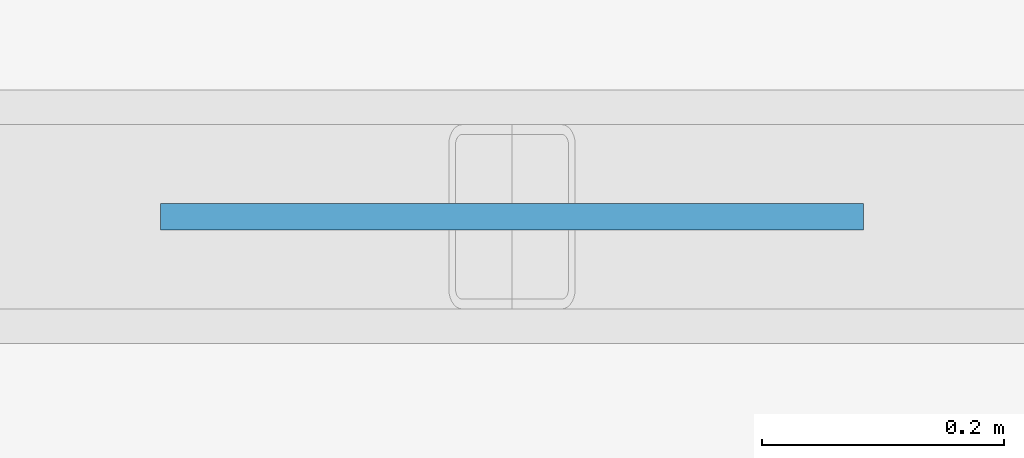
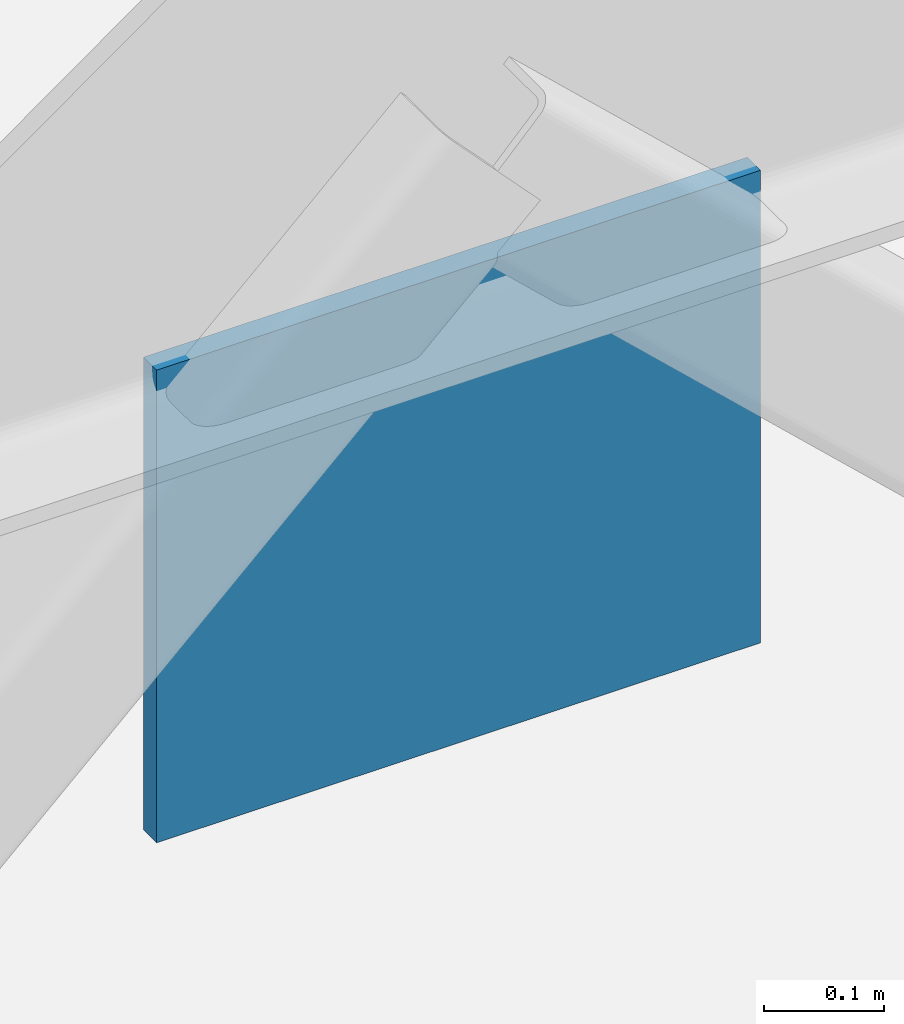
# One storey, part 59 of 93: 1 plate.
"""IFC4 building model written with IfcOpenShell, lengths in metres."""

from ifc_helpers import new_model, si_unit, direction, frame, origin, origin_2d, place, context, subcontext, project, spatial, rectangle, extrude, material, layer, layer_set, type_object, element, save


model = new_model("IFC4")

# Units and contexts
model_context = context("Model", 3, precision=1e-05, world=origin(), true_north=direction((0.0, 1.0)))
body_context = subcontext(model_context, "Body", "Model", "MODEL_VIEW")
ifc_project = project(units=[si_unit("LENGTHUNIT", "METRE"), si_unit("AREAUNIT", "SQUARE_METRE"), si_unit("VOLUMEUNIT", "CUBIC_METRE"), si_unit("PLANEANGLEUNIT", "RADIAN"), si_unit("MASSUNIT", "GRAM", prefix="KILO")], contexts=[model_context])

# Site, building, storey
site_placement = place(None, origin())
site = spatial("IfcSite", under=ifc_project, at=site_placement, CompositionType="ELEMENT")
building_placement = place(site_placement, origin())
building = spatial("IfcBuilding", under=site, at=building_placement, Name="Vaudrelin Polytechnic", CompositionType="ELEMENT")
storey_placement = place(building_placement, frame((0.0, 0.0, 5.10009765625)))
storey = spatial("IfcBuildingStorey", under=building, at=storey_placement, Name="L01", CompositionType="ELEMENT", Elevation=5.10009765625)

# Plate
ifc_material = material(Name="Steel CSA G40.21 350WT", Category="steel")
ifc_layer = layer(ifc_material, 0.02197265625)
ifc_layer_set = layer_set([ifc_layer], Name="Steel CSA G40.21 350WT")
plate_type = type_object("IfcPlateType", Name="PLT-GP-07", PredefinedType="USERDEFINED", material=ifc_layer_set)
plate_placement = place(storey_placement, frame((44.550048828125, 32.39990234375, 3.3369140625), z_axis=(0.0, 0.0, 1.0), x_axis=(1.0, 0.0, 0.0)))
element("IfcPlate", 1, at=plate_placement, inside=storey, type_object=plate_type, Name="Braced-frame apex gusset plate GP-BF06", ObjectType="GUSSET PLATE", PredefinedType="USERDEFINED", context=body_context, shape_type="SweptSolid", body=[
    extrude(rectangle(XDim=0.580078125, YDim=0.02197265625, at=origin_2d()), origin(), (0.0, 0.0, 1.0), 0.47998046875),
])

save(model, "model.ifc")
